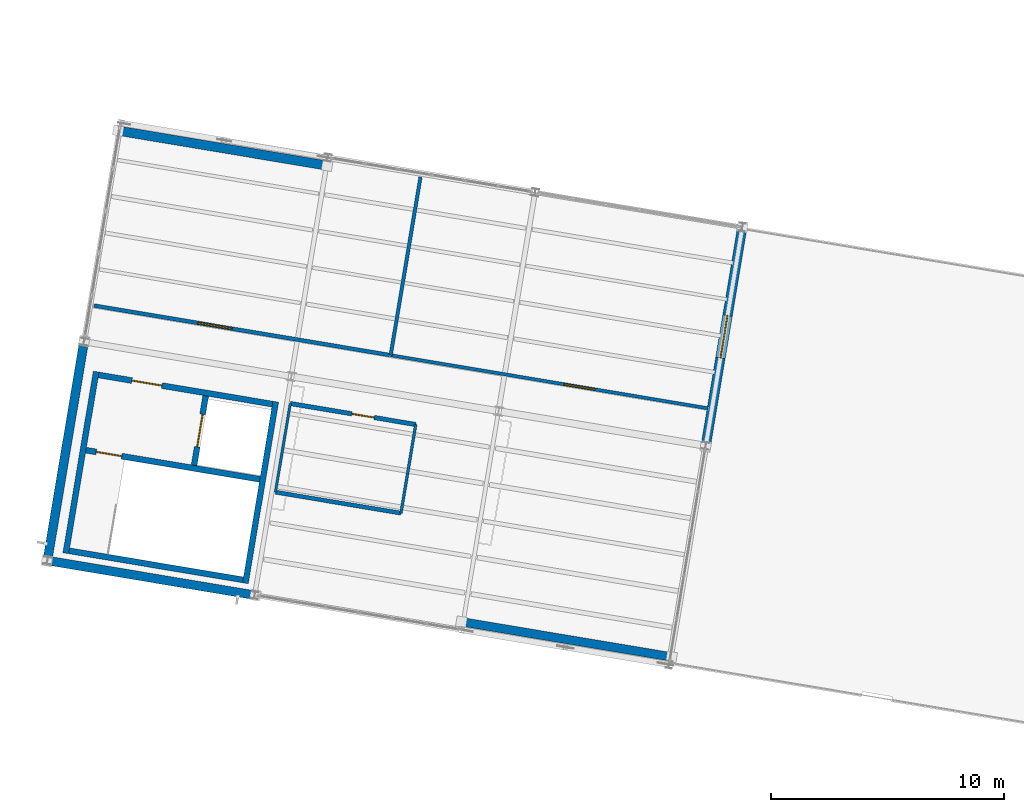
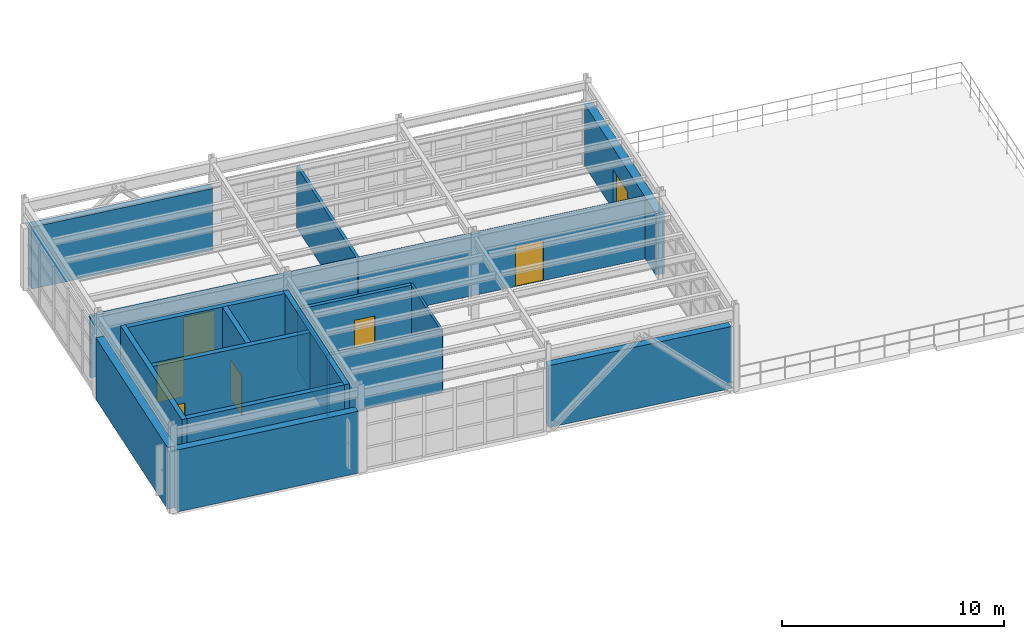
# One storey, part 48 of 59: 18 walls, 7 doors, 7 openings.
"""IFC4 building model written with IfcOpenShell, lengths in metres."""

from ifc_helpers import new_model, si_unit, direction, frame, frame_2d, origin, origin_with_axes, place, context, subcontext, project, spatial, rectangle, extrude, material, layer, layer_set, type_object, element, fill, save


model = new_model("IFC4")

# Units and contexts
model_context = context("Model", 3, precision=1e-05, world=origin(), true_north=direction((0.0, 1.0)))
body_context = subcontext(model_context, "Body", "Model", "MODEL_VIEW")
ifc_project = project(units=[si_unit("LENGTHUNIT", "METRE"), si_unit("AREAUNIT", "SQUARE_METRE"), si_unit("VOLUMEUNIT", "CUBIC_METRE"), si_unit("PLANEANGLEUNIT", "RADIAN"), si_unit("MASSUNIT", "GRAM", prefix="KILO")], contexts=[model_context])

# Site, building, storey
site_placement = place(None, origin())
site = spatial("IfcSite", under=ifc_project, at=site_placement, CompositionType="ELEMENT")
building_placement = place(site_placement, origin())
building = spatial("IfcBuilding", under=site, at=building_placement, Name="Vireo Bluff Cable Station", CompositionType="ELEMENT")
storey_placement = place(building_placement, frame((0.0, 0.0, 14.39990234375)))
storey = spatial("IfcBuildingStorey", under=building, at=storey_placement, Name="L03", CompositionType="ELEMENT", Elevation=14.39990234375)

# Walls
ifc_material_1 = material(Name="Precast concrete f'c 45 MPa", Category="concrete")
ifc_layer_1 = layer(ifc_material_1, 0.3701171875, Name="Precast concrete f'c 45 MPa")
ifc_layer_set_1 = layer_set([ifc_layer_1], Name="Precast concrete f'c 45 MPa")
wall_type_1 = type_object("IfcWallType", Name="EW-PRECAST-370", PredefinedType="SOLIDWALL", material=ifc_layer_set_1)
wall_1_placement = place(storey_placement, frame((33.62646484375, 76.77001953125, 0.0), z_axis=(0.0, 0.0, 1.0), x_axis=(-0.98628457333, 0.165053750067, 0.0)))
element("IfcWall", 1, at=wall_1_placement, inside=storey, type_object=wall_type_1, Name="V4 L03 south exterior wall 84", PredefinedType="SOLIDWALL", context=body_context, shape_type="SweptSolid", body=[
    extrude(rectangle(XDim=8.76708984375, YDim=0.3701171875, at=frame_2d((4.383544921875, 0.0))), origin(), (0.0, 0.0, 1.0), 3.400146484375),
])
ifc_layer_2 = layer(ifc_material_1, 0.3798828125, Name="Precast concrete f'c 45 MPa")
ifc_layer_set_2 = layer_set([ifc_layer_2], Name="Precast concrete f'c 45 MPa")
wall_type_2 = type_object("IfcWallType", Name="EW-PRECAST-380", PredefinedType="SOLIDWALL", material=ifc_layer_set_2)
wall_2_placement = place(storey_placement, frame((15.792236328125, 79.40966796875, 0.0), z_axis=(0.0, 0.0, 1.0), x_axis=(-0.986284365038, 0.165054994719, 0.0)))
element("IfcWall", 2, at=wall_2_placement, inside=storey, type_object=wall_type_2, Name="V4 L03 south exterior wall 85", PredefinedType="SOLIDWALL", context=body_context, shape_type="SweptSolid", body=[
    extrude(rectangle(XDim=8.68994140625, YDim=0.3798828125, at=frame_2d((4.344970703125, 0.0))), origin(), (0.0, 0.0, 1.0), 3.400146484375),
])
ifc_layer_3 = layer(ifc_material_1, 0.389892578125, Name="Precast concrete f'c 45 MPa")
ifc_layer_set_3 = layer_set([ifc_layer_3], Name="Precast concrete f'c 45 MPa")
wall_type_3 = type_object("IfcWallType", Name="EW-PRECAST-390", PredefinedType="SOLIDWALL", material=ifc_layer_set_3)
wall_3_placement = place(storey_placement, frame((7.09423828125, 81.027099609375, 0.0), z_axis=(0.0, 0.0, 1.0), x_axis=(0.165058728342, 0.986283740208, 0.0)))
element("IfcWall", 3, at=wall_3_placement, inside=storey, type_object=wall_type_3, Name="V4 L03 west exterior wall 86", PredefinedType="SOLIDWALL", context=body_context, shape_type="SweptSolid", body=[
    extrude(rectangle(XDim=9.180908203125, YDim=0.389892578125, at=frame_2d((4.59033203125, 0.0))), origin(), (0.0, 0.0, 1.0), 3.400146484375),
])
ifc_layer_4 = layer(ifc_material_1, 0.39990234375, Name="Precast concrete f'c 45 MPa")
ifc_layer_set_4 = layer_set([ifc_layer_4], Name="Precast concrete f'c 45 MPa")
wall_type_4 = type_object("IfcWallType", Name="EW-PRECAST-400", PredefinedType="SOLIDWALL", material=ifc_layer_set_4)
wall_4_placement = place(storey_placement, frame((10.2763671875, 99.252197265625, 0.0), z_axis=(0.0, 0.0, 1.0), x_axis=(0.986288479978, -0.165030404055, 0.0)))
element("IfcWall", 4, at=wall_4_placement, inside=storey, type_object=wall_type_4, Name="V4 L03 north exterior wall 87", PredefinedType="SOLIDWALL", context=body_context, shape_type="SweptSolid", body=[
    extrude(rectangle(XDim=8.71484375, YDim=0.39990234375, at=frame_2d((4.357421875, 0.0))), origin(), (0.0, 0.0, 1.0), 3.400146484375),
])

# Wall, opening, door
ifc_layer_5 = layer(ifc_material_1, 0.409912109375, Name="Precast concrete f'c 45 MPa")
ifc_layer_set_5 = layer_set([ifc_layer_5], Name="Precast concrete f'c 45 MPa")
wall_type_5 = type_object("IfcWallType", Name="EW-PRECAST-410", PredefinedType="SOLIDWALL", material=ifc_layer_set_5)
wall_5_placement = place(storey_placement, frame((36.80419921875, 94.976806640625, 0.0), z_axis=(0.0, 0.0, 1.0), x_axis=(-0.165059797175, -0.986283561333, 0.0)))
wall_5 = element("IfcWall", 5, at=wall_5_placement, inside=storey, type_object=wall_type_5, Name="V4 L03 east exterior wall 88", PredefinedType="SOLIDWALL", context=body_context, shape_type="SweptSolid", body=[
    extrude(rectangle(XDim=9.166015625, YDim=0.409912109375, at=frame_2d((4.5830078125, 0.0))), origin(), (0.0, 0.0, 1.0), 3.400146484375),
])
opening_1_placement = place(wall_5_placement, frame((3.657958984375, 0.0, 0.0)))
opening_1 = element("IfcOpeningElement", 6, at=opening_1_placement, cuts=wall_5, Name="Opening TD-002", PredefinedType="OPENING", context=body_context, shape_type="SweptSolid", body=[
    extrude(rectangle(XDim=1.85009765625, YDim=2.199951171875, at=frame_2d((0.925048828125, 1.10009765625))), frame((0.0, 0.21484375, 0.0), z_axis=(0.0, -1.0, 0.0), x_axis=(1.0, 0.0, 0.0)), (0.0, 0.0, 1.0), 0.429931640625),
])
ifc_material_2 = material(Name="Anodized Aluminium 6063-T6", Category="aluminium")
door_type_1 = type_object("IfcDoorType", Name="TDOOR-1850X2200", OperationType="NOTDEFINED", PredefinedType="DOOR", material=ifc_material_2)
door_1_placement = place(opening_1_placement, origin_with_axes())
door_1 = element("IfcDoor", 7, at=door_1_placement, inside=storey, type_object=door_type_1, Name="V4 L03 terrace access door TD-002", OperationType="SINGLE_SWING_LEFT", OverallHeight=2.199951171875, OverallWidth=1.85009765625, PredefinedType="DOOR", context=body_context, shape_type="SweptSolid", body=[
    extrude(rectangle(XDim=1.85009765625, YDim=2.199951171875, at=frame_2d((0.925048828125, 1.10009765625))), frame((0.0, 0.02490234375, 0.0), z_axis=(0.0, -1.0, 0.0), x_axis=(1.0, 0.0, 0.0)), (0.0, 0.0, 1.0), 0.050048828125),
])
fill(opening_1, door_1)

# Walls
ifc_material_3 = material(Name="Fire-Rated Gypsum Board Partition")
ifc_layer_6 = layer(ifc_material_3, 0.110107421875, Name="Fire-Rated Gypsum Board Partition")
ifc_layer_set_6 = layer_set([ifc_layer_6], Name="Fire-Rated Gypsum Board Partition")
wall_type_6 = type_object("IfcWallType", Name="PT-1HR-110", PredefinedType="PARTITIONING", material=ifc_layer_set_6)
wall_6_placement = place(storey_placement, frame((16.835205078125, 83.7978515625, 0.0), z_axis=(0.0, 0.0, 1.0), x_axis=(0.165067370347, 0.986282293893, 0.0)))
element("IfcWall", 8, at=wall_6_placement, inside=storey, type_object=wall_type_6, Name="V4 L03 Accessible WC L03-V4 W partition", PredefinedType="PARTITIONING", context=body_context, shape_type="SweptSolid", body=[
    extrude(rectangle(XDim=3.849853515625, YDim=0.110107421875, at=frame_2d((1.9248046875, 0.0))), origin(), (0.0, 0.0, 1.0), 3.380126953125),
])
ifc_layer_7 = layer(ifc_material_3, 0.1201171875, Name="Fire-Rated Gypsum Board Partition")
ifc_layer_set_7 = layer_set([ifc_layer_7], Name="Fire-Rated Gypsum Board Partition")
wall_type_7 = type_object("IfcWallType", Name="PT-1HR-120", PredefinedType="PARTITIONING", material=ifc_layer_set_7)
wall_7_placement = place(storey_placement, frame((22.845947265625, 86.695556640625, 0.0), z_axis=(0.0, 0.0, 1.0), x_axis=(-0.165057046947, -0.986284021595, 0.0)))
element("IfcWall", 9, at=wall_7_placement, inside=storey, type_object=wall_type_7, Name="V4 L03 Accessible WC L03-V4 E partition", PredefinedType="PARTITIONING", context=body_context, shape_type="SweptSolid", body=[
    extrude(rectangle(XDim=3.85009765625, YDim=0.1201171875, at=frame_2d((1.925048828125, 0.0))), origin(), (0.0, 0.0, 1.0), 3.380126953125),
])

# Wall, opening, door
ifc_layer_8 = layer(ifc_material_3, 0.139892578125, Name="Fire-Rated Gypsum Board Partition")
ifc_layer_set_8 = layer_set([ifc_layer_8], Name="Fire-Rated Gypsum Board Partition")
wall_type_8 = type_object("IfcWallType", Name="PT-1HR-140", PredefinedType="PARTITIONING", material=ifc_layer_set_8)
wall_8_placement = place(storey_placement, frame((35.362060546875, 87.38916015625, 0.0), z_axis=(0.0, 0.0, 1.0), x_axis=(-0.986285012336, 0.165051126748, 0.0)))
wall_8 = element("IfcWall", 10, at=wall_8_placement, inside=storey, type_object=wall_type_8, Name="V4 L03 Grip NDT Inspection Laboratory S partition", PredefinedType="PARTITIONING", context=body_context, shape_type="SweptSolid", body=[
    extrude(rectangle(XDim=13.780029296875, YDim=0.139892578125, at=frame_2d((6.89013671875, 0.0))), origin(), (0.0, 0.0, 1.0), 3.380126953125),
])
opening_2_placement = place(wall_8_placement, frame((4.912109375, 0.0, 0.0)))
opening_2 = element("IfcOpeningElement", 11, at=opening_2_placement, cuts=wall_8, Name="Opening D-0098", PredefinedType="OPENING", context=body_context, shape_type="SweptSolid", body=[
    extrude(rectangle(XDim=1.35009765625, YDim=2.199951171875, at=frame_2d((0.675048828125, 1.10009765625))), frame((0.0, 0.080078125, 0.0), z_axis=(0.0, -1.0, 0.0), x_axis=(1.0, 0.0, 0.0)), (0.0, 0.0, 1.0), 0.159912109375),
])
door_type_2 = type_object("IfcDoorType", Name="IDOOR60-1350X2200", OperationType="NOTDEFINED", PredefinedType="DOOR", material=ifc_material_2)
door_2_placement = place(opening_2_placement, origin_with_axes())
door_2 = element("IfcDoor", 12, at=door_2_placement, inside=storey, type_object=door_type_2, Name="V4 L03 Grip NDT Inspection Laboratory door D-0098", OperationType="SINGLE_SWING_LEFT", OverallHeight=2.199951171875, OverallWidth=1.35009765625, PredefinedType="DOOR", context=body_context, shape_type="SweptSolid", body=[
    extrude(rectangle(XDim=1.35009765625, YDim=2.199951171875, at=frame_2d((0.675048828125, 1.10009765625))), frame((0.0, 0.02490234375, 0.0), z_axis=(0.0, -1.0, 0.0), x_axis=(1.0, 0.0, 0.0)), (0.0, 0.0, 1.0), 0.050048828125),
])
fill(opening_2, door_2)

# Wall
ifc_layer_9 = layer(ifc_material_3, 0.14990234375, Name="Fire-Rated Gypsum Board Partition")
ifc_layer_set_9 = layer_set([ifc_layer_9], Name="Fire-Rated Gypsum Board Partition")
wall_type_9 = type_object("IfcWallType", Name="PT-1HR-150", PredefinedType="PARTITIONING", material=ifc_layer_set_9)
wall_9_placement = place(storey_placement, frame((21.77099609375, 89.66357421875, 0.0), z_axis=(0.0, 0.0, 1.0), x_axis=(0.165054518639, 0.98628444471, 0.0)))
element("IfcWall", 13, at=wall_9_placement, inside=storey, type_object=wall_type_9, Name="V4 L03 Grip NDT Inspection Laboratory W partition", PredefinedType="PARTITIONING", context=body_context, shape_type="SweptSolid", body=[
    extrude(rectangle(XDim=7.72998046875, YDim=0.14990234375, at=frame_2d((3.864990234375, 0.0))), origin(), (0.0, 0.0, 1.0), 3.380126953125),
])

# Wall, opening, door
ifc_layer_10 = layer(ifc_material_3, 0.1650390625, Name="Fire-Rated Gypsum Board Partition")
ifc_layer_set_10 = layer_set([ifc_layer_10], Name="Fire-Rated Gypsum Board Partition")
wall_type_10 = type_object("IfcWallType", Name="PT-1HR-165", PredefinedType="PARTITIONING", material=ifc_layer_set_10)
wall_10_placement = place(storey_placement, frame((21.7216796875, 89.671875, 0.0), z_axis=(0.0, 0.0, 1.0), x_axis=(-0.986287257997, 0.165037706944, 0.0)))
wall_10 = element("IfcWall", 14, at=wall_10_placement, inside=storey, type_object=wall_type_10, Name="V4 L03 Haul-Rope Monitoring Gallery S partition", PredefinedType="PARTITIONING", context=body_context, shape_type="SweptSolid", body=[
    extrude(rectangle(XDim=12.830078125, YDim=0.1650390625, at=frame_2d((6.4150390625, 0.0))), origin(), (0.0, 0.0, 1.0), 3.380126953125),
])
opening_3_placement = place(wall_10_placement, frame((6.8359375, 0.0, 0.0)))
opening_3 = element("IfcOpeningElement", 15, at=opening_3_placement, cuts=wall_10, Name="Opening D-0099", PredefinedType="OPENING", context=body_context, shape_type="SweptSolid", body=[
    extrude(rectangle(XDim=1.5, YDim=2.199951171875, at=frame_2d((0.75, 1.10009765625))), frame((0.0, 0.092529296875, 0.0), z_axis=(0.0, -1.0, 0.0), x_axis=(1.0, 0.0, 0.0)), (0.0, 0.0, 1.0), 0.18505859375),
])
door_type_3 = type_object("IfcDoorType", Name="IDOOR60-1500X2200", OperationType="NOTDEFINED", PredefinedType="DOOR", material=ifc_material_2)
door_3_placement = place(opening_3_placement, origin_with_axes())
door_3 = element("IfcDoor", 16, at=door_3_placement, inside=storey, type_object=door_type_3, Name="V4 L03 Haul-Rope Monitoring Gallery door D-0099", OperationType="DOUBLE_DOOR_SINGLE_SWING", OverallHeight=2.199951171875, OverallWidth=1.5, PredefinedType="DOOR", context=body_context, shape_type="SweptSolid", body=[
    extrude(rectangle(XDim=1.5, YDim=2.199951171875, at=frame_2d((0.75, 1.10009765625))), frame((0.0, 0.02490234375, 0.0), z_axis=(0.0, -1.0, 0.0), x_axis=(1.0, 0.0, 0.0)), (0.0, 0.0, 1.0), 0.050048828125),
])
fill(opening_3, door_3)

# Wall
ifc_layer_11 = layer(ifc_material_3, 0.175048828125, Name="Fire-Rated Gypsum Board Partition")
ifc_layer_set_11 = layer_set([ifc_layer_11], Name="Fire-Rated Gypsum Board Partition")
wall_type_11 = type_object("IfcWallType", Name="PT-1HR-175", PredefinedType="PARTITIONING", material=ifc_layer_set_11)
wall_11_placement = place(storey_placement, frame((22.21044921875, 82.898193359375, 0.0), z_axis=(0.0, 0.0, 1.0), x_axis=(-0.986281096267, 0.165074526036, 0.0)))
element("IfcWall", 17, at=wall_11_placement, inside=storey, type_object=wall_type_11, Name="V4 L03 Accessible WC L03-V4 S partition", PredefinedType="PARTITIONING", context=body_context, shape_type="SweptSolid", body=[
    extrude(rectangle(XDim=5.449951171875, YDim=0.175048828125, at=frame_2d((2.72509765625, 0.0))), origin(), (0.0, 0.0, 1.0), 3.380126953125),
])

# Wall, opening, door
ifc_layer_12 = layer(ifc_material_3, 0.18994140625, Name="Fire-Rated Gypsum Board Partition")
ifc_layer_set_12 = layer_set([ifc_layer_12], Name="Fire-Rated Gypsum Board Partition")
wall_type_12 = type_object("IfcWallType", Name="PT-1HR-190", PredefinedType="PARTITIONING", material=ifc_layer_set_12)
wall_12_placement = place(storey_placement, frame((17.470703125, 87.594970703125, 0.0), z_axis=(0.0, 0.0, 1.0), x_axis=(0.986288388646, -0.165030949892, 0.0)))
wall_12 = element("IfcWall", 18, at=wall_12_placement, inside=storey, type_object=wall_type_12, Name="V4 L03 Accessible WC L03-V4 N partition", PredefinedType="PARTITIONING", context=body_context, shape_type="SweptSolid", body=[
    extrude(rectangle(XDim=5.449951171875, YDim=0.18994140625, at=frame_2d((2.72509765625, 0.0))), origin(), (0.0, 0.0, 1.0), 3.380126953125),
])
opening_4_placement = place(wall_12_placement, frame((2.663330078125, 0.0, 0.0)))
opening_4 = element("IfcOpeningElement", 19, at=opening_4_placement, cuts=wall_12, Name="Opening D-0100", PredefinedType="OPENING", context=body_context, shape_type="SweptSolid", body=[
    extrude(rectangle(XDim=0.97998046875, YDim=2.1201171875, at=frame_2d((0.489990234375, 1.06005859375))), frame((0.0, 0.10498046875, 0.0), z_axis=(0.0, -1.0, 0.0), x_axis=(1.0, 0.0, 0.0)), (0.0, 0.0, 1.0), 0.2099609375),
])
door_type_4 = type_object("IfcDoorType", Name="IDOOR60-980X2120", OperationType="NOTDEFINED", PredefinedType="DOOR", material=ifc_material_2)
door_4_placement = place(opening_4_placement, origin_with_axes())
door_4 = element("IfcDoor", 20, at=door_4_placement, inside=storey, type_object=door_type_4, Name="V4 L03 Accessible WC L03-V4 door D-0100", OperationType="SINGLE_SWING_LEFT", OverallHeight=2.1201171875, OverallWidth=0.97998046875, PredefinedType="DOOR", context=body_context, shape_type="SweptSolid", body=[
    extrude(rectangle(XDim=0.97998046875, YDim=2.1201171875, at=frame_2d((0.489990234375, 1.06005859375))), frame((0.0, 0.02490234375, 0.0), z_axis=(0.0, -1.0, 0.0), x_axis=(1.0, 0.0, 0.0)), (0.0, 0.0, 1.0), 0.050048828125),
])
fill(opening_4, door_4)

# Walls
ifc_material_4 = material(Name="Concrete f'c 40 MPa", Category="concrete")
ifc_layer_13 = layer(ifc_material_4, 0.25, Name="Concrete f'c 40 MPa")
ifc_layer_set_13 = layer_set([ifc_layer_13], Name="Concrete f'c 40 MPa")
wall_type_13 = type_object("IfcWallType", Name="SW-CORE-250", PredefinedType="SHEAR", material=ifc_layer_set_13)
for number, where, z_axis, x_axis, name in (
    (21, (7.855712890625, 81.18408203125, 0.0), (0.0, 0.0, 1.0), (0.165031598329, 0.986288280146, 0.0), "CORE-3 L03 core W shear wall"),
    (22, (15.548583984375, 79.896728515625, 0.0), (0.0, 0.0, 1.0), (0.16506171759, 0.98628323994, 0.0), "CORE-3 L03 core E shear wall"),
):
    element("IfcWall", number, at=place(storey_placement, frame(where, z_axis=z_axis, x_axis=x_axis)), inside=storey, type_object=wall_type_13, Name=name, PredefinedType="SHEAR", context=body_context, shape_type="SweptSolid", body=[
        extrude(rectangle(XDim=7.885009765625, YDim=0.25, at=frame_2d((3.9423828125, 0.0))), origin(), (0.0, 0.0, 1.0), 4.5400390625),
    ])
wall_13_placement = place(storey_placement, frame((7.99951171875, 81.28662109375, 0.0), z_axis=(0.0, 0.0, 1.0), x_axis=(0.986286216974, -0.165043928115, 0.0)))
element("IfcWall", 23, at=wall_13_placement, inside=storey, type_object=wall_type_13, Name="CORE-3 L03 stair shaft south shear wall", PredefinedType="SHEAR", context=body_context, shape_type="SweptSolid", body=[
    extrude(rectangle(XDim=7.550048828125, YDim=0.25, at=frame_2d((3.77490234375, 0.0))), origin(), (0.0, 0.0, 1.0), 4.5400390625),
])

# Wall, opening, door
wall_14_placement = place(storey_placement, frame((16.167236328125, 84.3505859375, 0.0), z_axis=(0.0, 0.0, 1.0), x_axis=(-0.986286216974, 0.165043928115, 0.0)))
wall_14 = element("IfcWall", 24, at=wall_14_placement, inside=storey, type_object=wall_type_13, Name="CORE-3 L03 stair shaft north shear wall", PredefinedType="SHEAR", context=body_context, shape_type="SweptSolid", body=[
    extrude(rectangle(XDim=7.550048828125, YDim=0.25, at=frame_2d((3.77490234375, 0.0))), origin(), (0.0, 0.0, 1.0), 4.5400390625),
])
opening_5_placement = place(wall_14_placement, frame((6.0, 0.0, 0.0)))
opening_5 = element("IfcOpeningElement", 25, at=opening_5_placement, cuts=wall_14, Name="Opening SD-023", PredefinedType="OPENING", context=body_context, shape_type="SweptSolid", body=[
    extrude(rectangle(XDim=1.10009765625, YDim=2.14990234375, at=frame_2d((0.550048828125, 1.074951171875))), frame((0.0, 0.135009765625, 0.0), z_axis=(0.0, -1.0, 0.0), x_axis=(1.0, 0.0, 0.0)), (0.0, 0.0, 1.0), 0.27001953125),
])
ifc_material_5 = material(Name="Stainless Steel 316", Category="steel")
door_type_5 = type_object("IfcDoorType", Name="IDOOR90-1100X2150", OperationType="NOTDEFINED", PredefinedType="DOOR", material=ifc_material_5)
door_5_placement = place(opening_5_placement, origin_with_axes())
door_5 = element("IfcDoor", 26, at=door_5_placement, inside=storey, type_object=door_type_5, Name="CORE-3 L03 stair fire door SD-023", OperationType="SINGLE_SWING_RIGHT", OverallHeight=2.14990234375, OverallWidth=1.10009765625, PredefinedType="DOOR", context=body_context, shape_type="SweptSolid", body=[
    extrude(rectangle(XDim=1.10009765625, YDim=2.14990234375, at=frame_2d((0.550048828125, 1.074951171875))), frame((0.0, 0.02490234375, 0.0), z_axis=(0.0, -1.0, 0.0), x_axis=(1.0, 0.0, 0.0)), (0.0, 0.0, 1.0), 0.050048828125),
])
fill(opening_5, door_5)

wall_15_placement = place(storey_placement, frame((16.7060546875, 87.57080078125, 0.0), z_axis=(0.0, 0.0, 1.0), x_axis=(-0.98628533611, 0.165049191984, 0.0)))
wall_15 = element("IfcWall", 27, at=wall_15_placement, inside=storey, type_object=wall_type_13, Name="CORE-3 L03 core north shear wall", PredefinedType="SHEAR", context=body_context, shape_type="SweptSolid", body=[
    extrude(rectangle(XDim=7.5498046875, YDim=0.25, at=frame_2d((3.77490234375, 0.0))), origin(), (0.0, 0.0, 1.0), 4.5400390625),
])
opening_6_placement = place(wall_15_placement, frame((4.800048828125, 0.0, 0.0)))
opening_6 = element("IfcOpeningElement", 28, at=opening_6_placement, cuts=wall_15, Name="Opening FD-024", PredefinedType="OPENING", context=body_context, shape_type="SweptSolid", body=[
    extrude(rectangle(XDim=1.300048828125, YDim=2.14990234375, at=frame_2d((0.64990234375, 1.074951171875))), frame((0.0, 0.135009765625, 0.0), z_axis=(0.0, -1.0, 0.0), x_axis=(1.0, 0.0, 0.0)), (0.0, 0.0, 1.0), 0.27001953125),
])
door_type_6 = type_object("IfcDoorType", Name="IDOOR90-1300X2150", OperationType="NOTDEFINED", PredefinedType="DOOR", material=ifc_material_5)
door_6_placement = place(opening_6_placement, origin_with_axes())
door_6 = element("IfcDoor", 29, at=door_6_placement, inside=storey, type_object=door_type_6, Name="CORE-3 L03 firefighting lobby door FD-024", OperationType="SINGLE_SWING_LEFT", OverallHeight=2.14990234375, OverallWidth=1.300048828125, PredefinedType="DOOR", context=body_context, shape_type="SweptSolid", body=[
    extrude(rectangle(XDim=1.300048828125, YDim=2.14990234375, at=frame_2d((0.64990234375, 1.074951171875))), frame((0.0, 0.02490234375, 0.0), z_axis=(0.0, -1.0, 0.0), x_axis=(1.0, 0.0, 0.0)), (0.0, 0.0, 1.0), 0.050048828125),
])
fill(opening_6, door_6)

wall_16_placement = place(storey_placement, frame((13.352294921875, 84.948486328125, 0.0), z_axis=(0.0, 0.0, 1.0), x_axis=(0.165029254052, 0.986288672401, 0.0)))
wall_16 = element("IfcWall", 30, at=wall_16_placement, inside=storey, type_object=wall_type_13, Name="CORE-3 L03 lift shaft front wall", PredefinedType="SHEAR", context=body_context, shape_type="SweptSolid", body=[
    extrude(rectangle(XDim=3.014892578125, YDim=0.25, at=frame_2d((1.50732421875, 0.0))), origin(), (0.0, 0.0, 1.0), 4.5400390625),
])
opening_7_placement = place(wall_16_placement, frame((0.8076171875, 0.0, 0.0)))
opening_7 = element("IfcOpeningElement", 31, at=opening_7_placement, cuts=wall_16, Name="Opening LD-012", PredefinedType="OPENING", context=body_context, shape_type="SweptSolid", body=[
    extrude(rectangle(XDim=1.39990234375, YDim=2.14990234375, at=frame_2d((0.699951171875, 1.074951171875))), frame((0.0, 0.135009765625, 0.0), z_axis=(0.0, -1.0, 0.0), x_axis=(1.0, 0.0, 0.0)), (0.0, 0.0, 1.0), 0.27001953125),
])
door_type_7 = type_object("IfcDoorType", Name="LIFTDOOR-1400X2200", OperationType="DOUBLE_DOOR_SLIDING", PredefinedType="DOOR", material=ifc_material_5)
door_7_placement = place(opening_7_placement, origin_with_axes())
door_7 = element("IfcDoor", 32, at=door_7_placement, inside=storey, type_object=door_type_7, Name="CORE-3 L03 lift sliding landing door LD-012", OperationType="DOUBLE_DOOR_SLIDING", OverallHeight=2.14990234375, OverallWidth=1.39990234375, PredefinedType="DOOR", context=body_context, shape_type="SweptSolid", body=[
    extrude(rectangle(XDim=1.39990234375, YDim=2.14990234375, at=frame_2d((0.699951171875, 1.074951171875))), frame((0.0, 0.02490234375, 0.0), z_axis=(0.0, -1.0, 0.0), x_axis=(1.0, 0.0, 0.0)), (0.0, 0.0, 1.0), 0.050048828125),
])
fill(opening_7, door_7)

save(model, "model.ifc")
